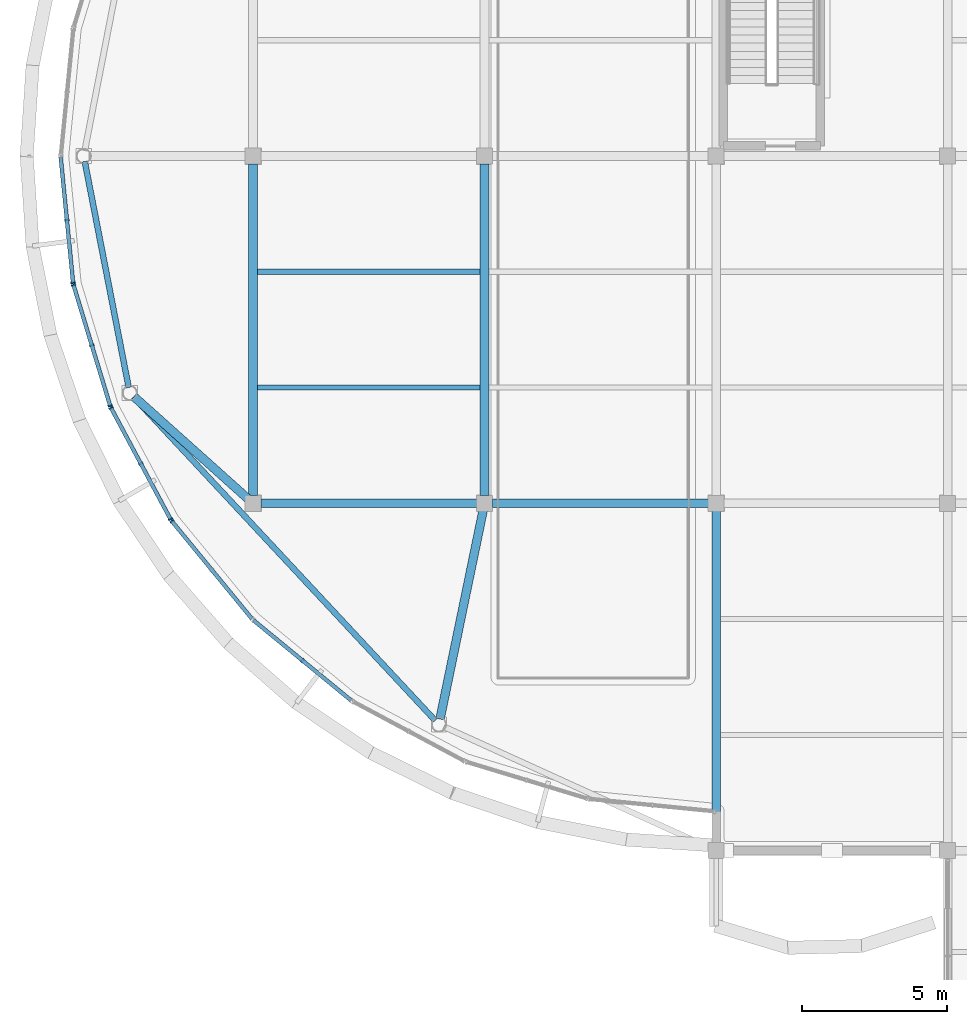
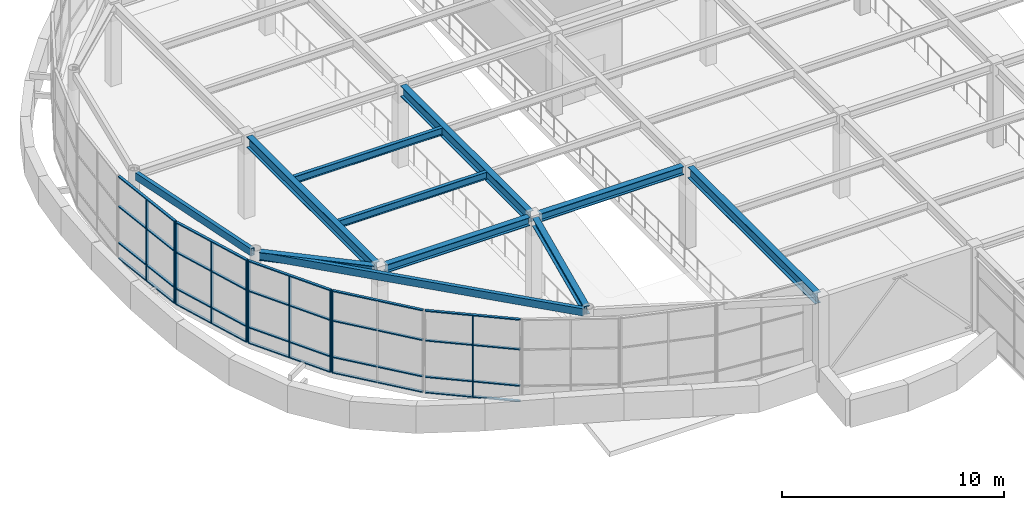
# One storey, part 12 of 72: 30 members, 11 beams, 5 elements without a shape of their own.
"""IFC4 building model written with IfcOpenShell, lengths in metres."""

import ifcopenshell
import ifcopenshell.guid

model = None  # the IFC model being written
_history = None  # IfcOwnerHistory: only IFC2X3 demands one
_inside = {}  # id of a spatial element -> (the spatial element, [elements in it])
_under = {}  # id of a project, library or spatial element -> (it, [spatial elements below it])
_declared = {}  # id of a project -> (the project, [libraries it declares])
_typed = {}  # id of a type object -> (the type object, [elements of that type])
_made_of = {}  # id of a material, layer set ... -> (it, [elements and type objects made of it])


def new_model(schema):
    """Start an empty IFC model of exactly this schema.

    Asked for "IFC4X3", IfcOpenShell would pick the latest addendum, in which some entities
    have other attributes; the version numbers below select the first issue.
    IFC2X3 requires an IfcOwnerHistory on every rooted entity: one is made here for all.
    """
    global model, _history
    if schema == "IFC4X3":
        model = ifcopenshell.file(schema_version=(4, 3, 0, 0))
    else:
        model = ifcopenshell.file(schema=schema)
    _inside.clear()
    _under.clear()
    _declared.clear()
    _typed.clear()
    _made_of.clear()
    _history = None
    if model.schema == "IFC2X3":
        org = make("IfcOrganization", Name="unknown")
        user = make(
            "IfcPersonAndOrganization",
            ThePerson=make("IfcPerson", FamilyName="unknown"),
            TheOrganization=org,
        )
        app = make(
            "IfcApplication",
            ApplicationDeveloper=org,
            Version="unknown",
            ApplicationFullName="unknown",
            ApplicationIdentifier="unknown",
        )
        _history = make(
            "IfcOwnerHistory",
            OwningUser=user,
            OwningApplication=app,
            ChangeAction="ADDED",
            CreationDate=0,
        )
    return model


def make(cls, **values):
    """One entity of the class cls with the attributes given. An attribute that is None is left unset."""
    return model.create_entity(
        cls, **{name: value for name, value in values.items() if value is not None}
    )


def rooted(cls, **values):
    """An entity with a GlobalId (a new one), such as an element, a storey or a relation."""
    return make(cls, GlobalId=ifcopenshell.guid.new(), OwnerHistory=_history, **values)


def si_unit(unit_type, name, prefix=None):
    """IfcSIUnit, for example si_unit("LENGTHUNIT", "METRE", prefix="MILLI")."""
    return make("IfcSIUnit", UnitType=unit_type, Prefix=prefix, Name=name)


def assignment(units):
    """IfcUnitAssignment: the units of a project."""
    return None if units is None else make("IfcUnitAssignment", Units=units)


def point(xyz):
    """IfcCartesianPoint."""
    return None if xyz is None else make("IfcCartesianPoint", Coordinates=xyz)


def direction(xyz):
    """IfcDirection."""
    return None if xyz is None else make("IfcDirection", DirectionRatios=xyz)


def frame(location, z_axis=None, x_axis=None):
    """IfcAxis2Placement3D, a coordinate frame: its origin and axes. An axis left out is left unset."""
    return make(
        "IfcAxis2Placement3D",
        Location=point(location),
        Axis=direction(z_axis),
        RefDirection=direction(x_axis),
    )


def frame_2d(location, x_axis=None):
    """IfcAxis2Placement2D, a coordinate frame in the plane: its origin and x axis."""
    return make(
        "IfcAxis2Placement2D", Location=point(location), RefDirection=direction(x_axis)
    )


def origin():
    """The frame at (0, 0, 0) with its axes left unset."""
    return frame((0.0, 0.0, 0.0))


def origin_2d():
    """The frame at (0, 0) in the plane with its x axis left unset."""
    return frame_2d((0.0, 0.0))


def place(relative_to, where):
    """IfcLocalPlacement: puts the frame where relative to a parent placement (None: the world)."""
    return make(
        "IfcLocalPlacement", PlacementRelTo=relative_to, RelativePlacement=where
    )


def context(
    kind, dimensions, precision=None, world=None, true_north=None, identifier=None
):
    """IfcGeometricRepresentationContext, for example the 3D "Model" context."""
    return make(
        "IfcGeometricRepresentationContext",
        ContextIdentifier=identifier,
        ContextType=kind,
        CoordinateSpaceDimension=dimensions,
        Precision=precision,
        WorldCoordinateSystem=world,
        TrueNorth=true_north,
    )


def subcontext(parent, identifier, kind, view, scale=None):
    """IfcGeometricRepresentationSubContext, for example "Body" below "Model"."""
    return make(
        "IfcGeometricRepresentationSubContext",
        ContextIdentifier=identifier,
        ContextType=kind,
        ParentContext=parent,
        TargetScale=scale,
        TargetView=view,
    )


def project(units=None, contexts=None):
    """IfcProject with its units and contexts."""
    return rooted(
        "IfcProject",
        Name="project",
        RepresentationContexts=contexts,
        UnitsInContext=assignment(units),
    )


def spatial(cls, under=None, at=None, **own):
    """A site, building, storey or space (cls), placed at a placement, below another one or the project."""
    s = rooted(cls, ObjectPlacement=at, **own)
    if under is not None:
        _under.setdefault(under.id(), (under, []))[1].append(s)
    return s


def profile(cls, at=None, kind="AREA", **sizes):
    """A parametric profile (cls). Its sizes go by their IFC names, for example OverallWidth=200.0."""
    return make(cls, ProfileType=kind, Position=at, **sizes)


def rectangle(**sizes):
    """IfcRectangleProfileDef."""
    return profile("IfcRectangleProfileDef", **sizes)


def hollow_rectangle(**sizes):
    """IfcRectangleHollowProfileDef."""
    return profile("IfcRectangleHollowProfileDef", **sizes)


def i_section(**sizes):
    """IfcIShapeProfileDef."""
    return profile("IfcIShapeProfileDef", **sizes)


def extrude(swept, where, along, depth):
    """IfcExtrudedAreaSolid: the profile swept, set in the frame where, extruded along a direction by depth."""
    return make(
        "IfcExtrudedAreaSolid",
        SweptArea=swept,
        Position=where,
        ExtrudedDirection=direction(along),
        Depth=depth,
    )


def shape(context_of_items, identifier, shape_type, items):
    """IfcShapeRepresentation: the items that make up one representation, for example the "Body"."""
    return make(
        "IfcShapeRepresentation",
        ContextOfItems=context_of_items,
        RepresentationIdentifier=identifier,
        RepresentationType=shape_type,
        Items=items,
    )


def material(Name=None, Category=None):
    """IfcMaterial."""
    return make("IfcMaterial", Name=Name, Category=Category)


def layer(
    of_material, thickness, ventilated=None, Name=None, Category=None, Priority=None
):
    """IfcMaterialLayer: one layer of a wall or slab, of a material (None: an air gap)."""
    return make(
        "IfcMaterialLayer",
        Material=of_material,
        LayerThickness=thickness,
        IsVentilated=ventilated,
        Name=Name,
        Category=Category,
        Priority=Priority,
    )


def layer_set(layers, Name=None):
    """IfcMaterialLayerSet."""
    return make("IfcMaterialLayerSet", MaterialLayers=layers, LayerSetName=Name)


def material_profile(
    of_material, cross_section, Name=None, Category=None, Priority=None
):
    """IfcMaterialProfile: a cross section and its material."""
    return make(
        "IfcMaterialProfile",
        Name=Name,
        Material=of_material,
        Profile=cross_section,
        Priority=Priority,
        Category=Category,
    )


def profile_set(profiles, Name=None, composite=None):
    """IfcMaterialProfileSet."""
    return make(
        "IfcMaterialProfileSet",
        Name=Name,
        MaterialProfiles=profiles,
        CompositeProfile=composite,
    )


def made_of(thing, what):
    """Note that an element or type object is made of a material, layer set ...; save() writes the relation."""
    if what is not None:
        _made_of.setdefault(what.id(), (what, []))[1].append(thing)
    return thing


def type_object(cls, material=None, **own):
    """A type object (cls), such as IfcWallType, which elements share."""
    return made_of(rooted(cls, **own), material)


def element(
    cls,
    number,
    at=None,
    inside=None,
    cuts=None,
    type_object=None,
    material=None,
    context=None,
    identifier="Body",
    shape_type=None,
    held_by="IfcProductDefinitionShape",
    body=None,
    shapes=None,
    **own,
):
    """One element of the class cls, such as IfcWall. Its Tag is "e" and its number.

    at: its placement. inside: the storey or other place that contains it. cuts: it is an
    opening in that element (IfcRelVoidsElement). A single representation is given by context,
    identifier, shape_type and body (its items); several are given by shapes. held_by: the class
    of the entity that holds the representations. save() writes the other relations.
    """
    e = rooted(cls, Tag="e%d" % number, ObjectPlacement=at, **own)
    if body is not None:
        shapes = [shape(context, identifier, shape_type, body)]
    if shapes is not None:
        e.Representation = make(held_by, Representations=shapes)
    if inside is not None:
        _inside.setdefault(inside.id(), (inside, []))[1].append(e)
    if cuts is not None:
        rooted(
            "IfcRelVoidsElement", RelatingBuildingElement=cuts, RelatedOpeningElement=e
        )
    if type_object is not None:
        _typed.setdefault(type_object.id(), (type_object, []))[1].append(e)
    return made_of(e, material)


def aggregate(whole, parts):
    """IfcRelAggregates: a whole, such as a stair, and the parts it consists of."""
    return rooted("IfcRelAggregates", RelatingObject=whole, RelatedObjects=parts)


def save(model, path):
    """Write the relations noted so far, then the file.

    IfcRelAggregates (storeys below a building ...), IfcRelContainedInSpatialStructure (elements
    in a storey), IfcRelDefinesByType, IfcRelAssociatesMaterial and IfcRelDeclares: one each for
    every whole, place, type object, material and project.
    """
    for whole, parts in _under.values():
        aggregate(whole, parts)
    for where, things in _inside.values():
        rooted(
            "IfcRelContainedInSpatialStructure",
            RelatedElements=things,
            RelatingStructure=where,
        )
    for kind, things in _typed.values():
        rooted("IfcRelDefinesByType", RelatedObjects=things, RelatingType=kind)
    for what, things in _made_of.values():
        rooted("IfcRelAssociatesMaterial", RelatedObjects=things, RelatingMaterial=what)
    for by, libraries in _declared.values():
        rooted("IfcRelDeclares", RelatingContext=by, RelatedDefinitions=libraries)
    model.write(path)


model = new_model("IFC4")

# Units and contexts
model_context = context("Model", 3, precision=1e-05, world=origin(), true_north=direction((0.0, 1.0)))
body_context = subcontext(model_context, "Body", "Model", "MODEL_VIEW")
ifc_project = project(units=[si_unit("LENGTHUNIT", "METRE"), si_unit("AREAUNIT", "SQUARE_METRE"), si_unit("VOLUMEUNIT", "CUBIC_METRE"), si_unit("PLANEANGLEUNIT", "RADIAN"), si_unit("MASSUNIT", "GRAM", prefix="KILO")], contexts=[model_context])

# Site, building, storey
site_placement = place(None, origin())
site = spatial("IfcSite", under=ifc_project, at=site_placement, CompositionType="ELEMENT")
building_placement = place(site_placement, origin())
building = spatial("IfcBuilding", under=site, at=building_placement, Name="Keelwater Ferry Terminal", CompositionType="ELEMENT")
storey_placement = place(building_placement, frame((0.0, 0.0, 5.39990234375)))
storey = spatial("IfcBuildingStorey", under=building, at=storey_placement, Name="L01", CompositionType="ELEMENT", Elevation=5.39990234375)

# Curtain wall, members
ifc_material_1 = material(Name="Thermally broken unitised aluminium and triple glass", Category="aluminium")
ifc_layer = layer(ifc_material_1, 0.179931640625)
ifc_layer_set = layer_set([ifc_layer], Name="Thermally broken unitised aluminium and triple glass")
curtain_wall_type = type_object("IfcCurtainWallType", Name="CW-18 Unitised Curtain Wall 4350x4480", PredefinedType="USERDEFINED", material=ifc_layer_set)
curtain_wall_1_placement = place(storey_placement, origin())
curtain_wall_1 = element("IfcCurtainWall", 1, at=curtain_wall_1_placement, inside=storey, type_object=curtain_wall_type, Name="Unitised Curtain Wall CW-L01-117", ObjectType="UNITISED CURTAIN WALL", PredefinedType="USERDEFINED")
ifc_material_2 = material(Name="Aluminium mullion", Category="aluminium")
ifc_material_profile_1 = material_profile(ifc_material_2, rectangle(XDim=0.06005859375, YDim=0.14990234375, at=origin_2d()), Name="CWM-03")
ifc_profile_set_1 = profile_set([ifc_material_profile_1], Name="Aluminium mullion")
member_type_1 = type_object("IfcMemberType", Name="CWM-03 Curtain Mullion 60x150", PredefinedType="MULLION", material=ifc_profile_set_1)
member_1_placement = place(storey_placement, frame((1.5673828125, 63.79052734375, 0.0), z_axis=(0.0, 0.0, 1.0), x_axis=(0.098160737969, -0.995170573079, 0.0)))
member_1 = element("IfcMember", 2, at=member_1_placement, type_object=member_type_1, Name="CW-L01-117 Mullion 2", PredefinedType="MULLION", context=body_context, shape_type="SweptSolid", body=[
    extrude(rectangle(XDim=0.06005859375, YDim=0.14990234375, at=origin_2d()), origin(), (0.0, 0.0, 1.0), 4.47998046875),
])
member_2_placement = place(storey_placement, frame((1.781005859375, 61.6259765625, 0.0), z_axis=(0.0, 0.0, 1.0), x_axis=(0.098160737969, -0.995170573079, 0.0)))
member_2 = element("IfcMember", 3, at=member_2_placement, type_object=member_type_1, Name="CW-L01-117 Mullion 3", PredefinedType="MULLION", context=body_context, shape_type="SweptSolid", body=[
    extrude(rectangle(XDim=0.06005859375, YDim=0.14990234375, at=origin_2d()), origin(), (0.0, 0.0, 1.0), 4.47998046875),
])

curtain_wall_2_placement = place(storey_placement, origin())
curtain_wall_2 = element("IfcCurtainWall", 4, at=curtain_wall_2_placement, inside=storey, type_object=curtain_wall_type, Name="Unitised Curtain Wall CW-L01-118", ObjectType="UNITISED CURTAIN WALL", PredefinedType="USERDEFINED")
member_3_placement = place(storey_placement, frame((1.798095703125, 61.5380859375, 0.0), z_axis=(0.0, 0.0, 1.0), x_axis=(0.290319989003, -0.956929623319, 0.0)))
member_3 = element("IfcMember", 5, at=member_3_placement, type_object=member_type_1, Name="CW-L01-118 Mullion 1", PredefinedType="MULLION", context=body_context, shape_type="SweptSolid", body=[
    extrude(rectangle(XDim=0.06005859375, YDim=0.14990234375, at=origin_2d()), origin(), (0.0, 0.0, 1.0), 4.47998046875),
])
member_4_placement = place(storey_placement, frame((2.429443359375, 59.45654296875, 0.0), z_axis=(0.0, 0.0, 1.0), x_axis=(0.290319989003, -0.956929623319, 0.0)))
member_4 = element("IfcMember", 6, at=member_4_placement, type_object=member_type_1, Name="CW-L01-118 Mullion 2", PredefinedType="MULLION", context=body_context, shape_type="SweptSolid", body=[
    extrude(rectangle(XDim=0.06005859375, YDim=0.14990234375, at=origin_2d()), origin(), (0.0, 0.0, 1.0), 4.47998046875),
])
member_5_placement = place(storey_placement, frame((3.06103515625, 57.375, 0.0), z_axis=(0.0, 0.0, 1.0), x_axis=(0.290319989003, -0.956929623319, 0.0)))
member_5 = element("IfcMember", 7, at=member_5_placement, type_object=member_type_1, Name="CW-L01-118 Mullion 3", PredefinedType="MULLION", context=body_context, shape_type="SweptSolid", body=[
    extrude(rectangle(XDim=0.06005859375, YDim=0.14990234375, at=origin_2d()), origin(), (0.0, 0.0, 1.0), 4.47998046875),
])

curtain_wall_3_placement = place(storey_placement, origin())
curtain_wall_3 = element("IfcCurtainWall", 8, at=curtain_wall_3_placement, inside=storey, type_object=curtain_wall_type, Name="Unitised Curtain Wall CW-L01-119", ObjectType="UNITISED CURTAIN WALL", PredefinedType="USERDEFINED")
member_6_placement = place(storey_placement, frame((3.094970703125, 57.2919921875, 0.0), z_axis=(0.0, 0.0, 1.0), x_axis=(0.471506749303, -0.881862452632, 0.0)))
member_6 = element("IfcMember", 9, at=member_6_placement, type_object=member_type_1, Name="CW-L01-119 Mullion 1", PredefinedType="MULLION", context=body_context, shape_type="SweptSolid", body=[
    extrude(rectangle(XDim=0.06005859375, YDim=0.14990234375, at=origin_2d()), origin(), (0.0, 0.0, 1.0), 4.47998046875),
])
member_7_placement = place(storey_placement, frame((4.12060546875, 55.3740234375, 0.0), z_axis=(0.0, 0.0, 1.0), x_axis=(0.471506749303, -0.881862452632, 0.0)))
member_7 = element("IfcMember", 10, at=member_7_placement, type_object=member_type_1, Name="CW-L01-119 Mullion 2", PredefinedType="MULLION", context=body_context, shape_type="SweptSolid", body=[
    extrude(rectangle(XDim=0.06005859375, YDim=0.14990234375, at=origin_2d()), origin(), (0.0, 0.0, 1.0), 4.47998046875),
])
member_8_placement = place(storey_placement, frame((5.14599609375, 53.4560546875, 0.0), z_axis=(0.0, 0.0, 1.0), x_axis=(0.471506749303, -0.881862452632, 0.0)))
member_8 = element("IfcMember", 11, at=member_8_placement, type_object=member_type_1, Name="CW-L01-119 Mullion 3", PredefinedType="MULLION", context=body_context, shape_type="SweptSolid", body=[
    extrude(rectangle(XDim=0.06005859375, YDim=0.14990234375, at=origin_2d()), origin(), (0.0, 0.0, 1.0), 4.47998046875),
])

# Curtain wall, member
curtain_wall_4_placement = place(storey_placement, origin())
curtain_wall_4 = element("IfcCurtainWall", 12, at=curtain_wall_4_placement, inside=storey, type_object=curtain_wall_type, Name="Unitised Curtain Wall CW-L01-120", ObjectType="UNITISED CURTAIN WALL", PredefinedType="USERDEFINED")
member_9_placement = place(storey_placement, frame((5.196044921875, 53.381103515625, 0.0), z_axis=(0.0, 0.0, 1.0), x_axis=(0.634376508991, -0.773024220086, 0.0)))
member_9 = element("IfcMember", 13, at=member_9_placement, type_object=member_type_1, Name="CW-L01-120 Mullion 1", PredefinedType="MULLION", context=body_context, shape_type="SweptSolid", body=[
    extrude(rectangle(XDim=0.06005859375, YDim=0.14990234375, at=origin_2d()), origin(), (0.0, 0.0, 1.0), 4.47998046875),
])

curtain_wall_5_placement = place(storey_placement, origin())
curtain_wall_5 = element("IfcCurtainWall", 14, at=curtain_wall_5_placement, inside=storey, type_object=curtain_wall_type, Name="Unitised Curtain Wall CW-L01-121", ObjectType="UNITISED CURTAIN WALL", PredefinedType="USERDEFINED")
member_10_placement = place(storey_placement, frame((9.699951171875, 48.575439453125, 0.0), z_axis=(0.0, 0.0, 1.0), x_axis=(0.773024220086, -0.634376508991, 0.0)))
member_10 = element("IfcMember", 15, at=member_10_placement, type_object=member_type_1, Name="CW-L01-121 Mullion 2", PredefinedType="MULLION", context=body_context, shape_type="SweptSolid", body=[
    extrude(rectangle(XDim=0.06005859375, YDim=0.14990234375, at=origin_2d()), origin(), (0.0, 0.0, 1.0), 4.47998046875),
])

# Member
ifc_material_3 = material(Name="Aluminium mullion", Category="aluminium")
ifc_material_profile_2 = material_profile(ifc_material_3, rectangle(XDim=0.135009765625, YDim=0.06005859375, at=origin_2d()), Name="CWT-03")
ifc_profile_set_2 = profile_set([ifc_material_profile_2], Name="Aluminium mullion")
member_type_2 = type_object("IfcMemberType", Name="CWT-03 Curtain Transom 60x135", PredefinedType="USERDEFINED", material=ifc_profile_set_2)
member_11_placement = place(storey_placement, frame((1.35400390625, 65.955078125, 0.0), z_axis=(0.098158901932, -0.995170754178, 0.0), x_axis=(0.995170754178, 0.098158901932, 0.0)))
member_11 = element("IfcMember", 16, at=member_11_placement, type_object=member_type_2, Name="CW-L01-117 Transom 1", ObjectType="TRANSOM", PredefinedType="USERDEFINED", context=body_context, shape_type="SweptSolid", body=[
    extrude(rectangle(XDim=0.135009765625, YDim=0.06005859375, at=origin_2d()), origin(), (0.0, 0.0, 1.0), 4.35009765625),
])

member_12_placement = place(storey_placement, frame((1.35400390625, 65.955078125, 0.85009765625), z_axis=(0.098158901932, -0.995170754178, 0.0), x_axis=(0.995170754178, 0.098158901932, 0.0)))
member_12 = element("IfcMember", 17, at=member_12_placement, type_object=member_type_2, Name="CW-L01-117 Transom 2", ObjectType="TRANSOM", PredefinedType="USERDEFINED", context=body_context, shape_type="SweptSolid", body=[
    extrude(rectangle(XDim=0.135009765625, YDim=0.06005859375, at=origin_2d()), origin(), (0.0, 0.0, 1.0), 4.35009765625),
])

member_13_placement = place(storey_placement, frame((1.35400390625, 65.955078125, 2.85009765625), z_axis=(0.098158901932, -0.995170754178, 0.0), x_axis=(0.995170754178, 0.098158901932, 0.0)))
member_13 = element("IfcMember", 18, at=member_13_placement, type_object=member_type_2, Name="CW-L01-117 Transom 3", ObjectType="TRANSOM", PredefinedType="USERDEFINED", context=body_context, shape_type="SweptSolid", body=[
    extrude(rectangle(XDim=0.135009765625, YDim=0.06005859375, at=origin_2d()), origin(), (0.0, 0.0, 1.0), 4.35009765625),
])

member_14_placement = place(storey_placement, frame((1.35400390625, 65.955078125, 4.47998046875), z_axis=(0.098158901932, -0.995170754178, 0.0), x_axis=(0.995170754178, 0.098158901932, 0.0)))
member_14 = element("IfcMember", 19, at=member_14_placement, type_object=member_type_2, Name="CW-L01-117 Transom 4", ObjectType="TRANSOM", PredefinedType="USERDEFINED", context=body_context, shape_type="SweptSolid", body=[
    extrude(rectangle(XDim=0.135009765625, YDim=0.06005859375, at=origin_2d()), origin(), (0.0, 0.0, 1.0), 4.35009765625),
])

aggregate(curtain_wall_1, [member_1, member_2, member_11, member_12, member_13, member_14])

member_15_placement = place(storey_placement, frame((1.798095703125, 61.5380859375, 0.0), z_axis=(0.290301756665, -0.956935154583, 0.0), x_axis=(0.956935154583, 0.290301756665, 0.0)))
member_15 = element("IfcMember", 20, at=member_15_placement, type_object=member_type_2, Name="CW-L01-118 Transom 1", ObjectType="TRANSOM", PredefinedType="USERDEFINED", context=body_context, shape_type="SweptSolid", body=[
    extrude(rectangle(XDim=0.135009765625, YDim=0.06005859375, at=origin_2d()), origin(), (0.0, 0.0, 1.0), 4.350341796875),
])

member_16_placement = place(storey_placement, frame((1.798095703125, 61.5380859375, 0.85009765625), z_axis=(0.290301756665, -0.956935154583, 0.0), x_axis=(0.956935154583, 0.290301756665, 0.0)))
member_16 = element("IfcMember", 21, at=member_16_placement, type_object=member_type_2, Name="CW-L01-118 Transom 2", ObjectType="TRANSOM", PredefinedType="USERDEFINED", context=body_context, shape_type="SweptSolid", body=[
    extrude(rectangle(XDim=0.135009765625, YDim=0.06005859375, at=origin_2d()), origin(), (0.0, 0.0, 1.0), 4.350341796875),
])

member_17_placement = place(storey_placement, frame((1.798095703125, 61.5380859375, 2.85009765625), z_axis=(0.290301756665, -0.956935154583, 0.0), x_axis=(0.956935154583, 0.290301756665, 0.0)))
member_17 = element("IfcMember", 22, at=member_17_placement, type_object=member_type_2, Name="CW-L01-118 Transom 3", ObjectType="TRANSOM", PredefinedType="USERDEFINED", context=body_context, shape_type="SweptSolid", body=[
    extrude(rectangle(XDim=0.135009765625, YDim=0.06005859375, at=origin_2d()), origin(), (0.0, 0.0, 1.0), 4.350341796875),
])

member_18_placement = place(storey_placement, frame((1.798095703125, 61.5380859375, 4.47998046875), z_axis=(0.290301756665, -0.956935154583, 0.0), x_axis=(0.956935154583, 0.290301756665, 0.0)))
member_18 = element("IfcMember", 23, at=member_18_placement, type_object=member_type_2, Name="CW-L01-118 Transom 4", ObjectType="TRANSOM", PredefinedType="USERDEFINED", context=body_context, shape_type="SweptSolid", body=[
    extrude(rectangle(XDim=0.135009765625, YDim=0.06005859375, at=origin_2d()), origin(), (0.0, 0.0, 1.0), 4.350341796875),
])

aggregate(curtain_wall_2, [member_3, member_4, member_5, member_15, member_16, member_17, member_18])

member_19_placement = place(storey_placement, frame((3.094970703125, 57.2919921875, 0.0), z_axis=(0.471517263122, -0.881856831112, 0.0), x_axis=(0.881856831112, 0.471517263122, 0.0)))
member_19 = element("IfcMember", 24, at=member_19_placement, type_object=member_type_2, Name="CW-L01-119 Transom 1", ObjectType="TRANSOM", PredefinedType="USERDEFINED", context=body_context, shape_type="SweptSolid", body=[
    extrude(rectangle(XDim=0.135009765625, YDim=0.06005859375, at=origin_2d()), origin(), (0.0, 0.0, 1.0), 4.349853515625),
])

member_20_placement = place(storey_placement, frame((3.094970703125, 57.2919921875, 0.85009765625), z_axis=(0.471517263122, -0.881856831112, 0.0), x_axis=(0.881856831112, 0.471517263122, 0.0)))
member_20 = element("IfcMember", 25, at=member_20_placement, type_object=member_type_2, Name="CW-L01-119 Transom 2", ObjectType="TRANSOM", PredefinedType="USERDEFINED", context=body_context, shape_type="SweptSolid", body=[
    extrude(rectangle(XDim=0.135009765625, YDim=0.06005859375, at=origin_2d()), origin(), (0.0, 0.0, 1.0), 4.349853515625),
])

member_21_placement = place(storey_placement, frame((3.094970703125, 57.2919921875, 2.85009765625), z_axis=(0.471517263122, -0.881856831112, 0.0), x_axis=(0.881856831112, 0.471517263122, 0.0)))
member_21 = element("IfcMember", 26, at=member_21_placement, type_object=member_type_2, Name="CW-L01-119 Transom 3", ObjectType="TRANSOM", PredefinedType="USERDEFINED", context=body_context, shape_type="SweptSolid", body=[
    extrude(rectangle(XDim=0.135009765625, YDim=0.06005859375, at=origin_2d()), origin(), (0.0, 0.0, 1.0), 4.349853515625),
])

member_22_placement = place(storey_placement, frame((3.094970703125, 57.2919921875, 4.47998046875), z_axis=(0.471517263122, -0.881856831112, 0.0), x_axis=(0.881856831112, 0.471517263122, 0.0)))
member_22 = element("IfcMember", 27, at=member_22_placement, type_object=member_type_2, Name="CW-L01-119 Transom 4", ObjectType="TRANSOM", PredefinedType="USERDEFINED", context=body_context, shape_type="SweptSolid", body=[
    extrude(rectangle(XDim=0.135009765625, YDim=0.06005859375, at=origin_2d()), origin(), (0.0, 0.0, 1.0), 4.349853515625),
])

aggregate(curtain_wall_3, [member_6, member_7, member_8, member_19, member_20, member_21, member_22])

member_23_placement = place(storey_placement, frame((5.196044921875, 53.381103515625, 0.0), z_axis=(0.634374244118, -0.773026078732, 0.0), x_axis=(0.773026078732, 0.634374244118, 0.0)))
member_23 = element("IfcMember", 28, at=member_23_placement, type_object=member_type_2, Name="CW-L01-120 Transom 1", ObjectType="TRANSOM", PredefinedType="USERDEFINED", context=body_context, shape_type="SweptSolid", body=[
    extrude(rectangle(XDim=0.135009765625, YDim=0.06005859375, at=origin_2d()), origin(), (0.0, 0.0, 1.0), 4.34912109375),
])

member_24_placement = place(storey_placement, frame((5.196044921875, 53.381103515625, 0.85009765625), z_axis=(0.634374244118, -0.773026078732, 0.0), x_axis=(0.773026078732, 0.634374244118, 0.0)))
member_24 = element("IfcMember", 29, at=member_24_placement, type_object=member_type_2, Name="CW-L01-120 Transom 2", ObjectType="TRANSOM", PredefinedType="USERDEFINED", context=body_context, shape_type="SweptSolid", body=[
    extrude(rectangle(XDim=0.135009765625, YDim=0.06005859375, at=origin_2d()), origin(), (0.0, 0.0, 1.0), 4.34912109375),
])

member_25_placement = place(storey_placement, frame((5.196044921875, 53.381103515625, 2.85009765625), z_axis=(0.634374244118, -0.773026078732, 0.0), x_axis=(0.773026078732, 0.634374244118, 0.0)))
member_25 = element("IfcMember", 30, at=member_25_placement, type_object=member_type_2, Name="CW-L01-120 Transom 3", ObjectType="TRANSOM", PredefinedType="USERDEFINED", context=body_context, shape_type="SweptSolid", body=[
    extrude(rectangle(XDim=0.135009765625, YDim=0.06005859375, at=origin_2d()), origin(), (0.0, 0.0, 1.0), 4.34912109375),
])

member_26_placement = place(storey_placement, frame((5.196044921875, 53.381103515625, 4.47998046875), z_axis=(0.634374244118, -0.773026078732, 0.0), x_axis=(0.773026078732, 0.634374244118, 0.0)))
member_26 = element("IfcMember", 31, at=member_26_placement, type_object=member_type_2, Name="CW-L01-120 Transom 4", ObjectType="TRANSOM", PredefinedType="USERDEFINED", context=body_context, shape_type="SweptSolid", body=[
    extrude(rectangle(XDim=0.135009765625, YDim=0.06005859375, at=origin_2d()), origin(), (0.0, 0.0, 1.0), 4.34912109375),
])

aggregate(curtain_wall_4, [member_9, member_23, member_24, member_25, member_26])

member_27_placement = place(storey_placement, frame((8.01904296875, 49.955078125, 0.0), z_axis=(0.773026078732, -0.634374244118, 0.0), x_axis=(0.634374244118, 0.773026078732, 0.0)))
member_27 = element("IfcMember", 32, at=member_27_placement, type_object=member_type_2, Name="CW-L01-121 Transom 1", ObjectType="TRANSOM", PredefinedType="USERDEFINED", context=body_context, shape_type="SweptSolid", body=[
    extrude(rectangle(XDim=0.135009765625, YDim=0.06005859375, at=origin_2d()), origin(), (0.0, 0.0, 1.0), 4.34912109375),
])

member_28_placement = place(storey_placement, frame((8.01904296875, 49.955078125, 0.85009765625), z_axis=(0.773026078732, -0.634374244118, 0.0), x_axis=(0.634374244118, 0.773026078732, 0.0)))
member_28 = element("IfcMember", 33, at=member_28_placement, type_object=member_type_2, Name="CW-L01-121 Transom 2", ObjectType="TRANSOM", PredefinedType="USERDEFINED", context=body_context, shape_type="SweptSolid", body=[
    extrude(rectangle(XDim=0.135009765625, YDim=0.06005859375, at=origin_2d()), origin(), (0.0, 0.0, 1.0), 4.34912109375),
])

member_29_placement = place(storey_placement, frame((8.01904296875, 49.955078125, 2.85009765625), z_axis=(0.773026078732, -0.634374244118, 0.0), x_axis=(0.634374244118, 0.773026078732, 0.0)))
member_29 = element("IfcMember", 34, at=member_29_placement, type_object=member_type_2, Name="CW-L01-121 Transom 3", ObjectType="TRANSOM", PredefinedType="USERDEFINED", context=body_context, shape_type="SweptSolid", body=[
    extrude(rectangle(XDim=0.135009765625, YDim=0.06005859375, at=origin_2d()), origin(), (0.0, 0.0, 1.0), 4.34912109375),
])

member_30_placement = place(storey_placement, frame((8.01904296875, 49.955078125, 4.47998046875), z_axis=(0.773026078732, -0.634374244118, 0.0), x_axis=(0.634374244118, 0.773026078732, 0.0)))
member_30 = element("IfcMember", 35, at=member_30_placement, type_object=member_type_2, Name="CW-L01-121 Transom 4", ObjectType="TRANSOM", PredefinedType="USERDEFINED", context=body_context, shape_type="SweptSolid", body=[
    extrude(rectangle(XDim=0.135009765625, YDim=0.06005859375, at=origin_2d()), origin(), (0.0, 0.0, 1.0), 4.34912109375),
])

aggregate(curtain_wall_5, [member_10, member_27, member_28, member_29, member_30])

# Beams
ifc_material_4 = material(Name="Steel S355", Category="steel")
ifc_material_profile_3 = material_profile(ifc_material_4, i_section(OverallWidth=0.300048828125, OverallDepth=0.60009765625, WebThickness=0.015380859375, FlangeThickness=0.030029296875, at=origin_2d()), Name="HEB 600")
ifc_profile_set_3 = profile_set([ifc_material_profile_3], Name="Steel S355")
beam_type_1 = type_object("IfcBeamType", Name="G3 HEB 600", PredefinedType="BEAM", material=ifc_profile_set_3)
beam_1_placement = place(storey_placement, frame((24.0, 42.27001953125, 4.22021484375), z_axis=(0.0, 1.0, 0.0), x_axis=(-1.0, 0.0, 0.0)))
element("IfcBeam", 36, at=beam_1_placement, inside=storey, type_object=beam_type_1, Name="Beam BM-L01-0715", PredefinedType="BEAM", context=body_context, shape_type="SweptSolid", body=[
    extrude(i_section(OverallWidth=0.300048828125, OverallDepth=0.60009765625, WebThickness=0.015380859375, FlangeThickness=0.030029296875, at=origin_2d()), origin(), (0.0, 0.0, 1.0), 11.4599609375),
])
ifc_material_5 = material(Name="Steel S355", Category="steel")
ifc_material_profile_4 = material_profile(ifc_material_5, i_section(OverallWidth=0.300048828125, OverallDepth=0.60009765625, WebThickness=0.015380859375, FlangeThickness=0.030029296875, at=origin_2d()), Name="HEB 600")
ifc_profile_set_4 = profile_set([ifc_material_profile_4], Name="Steel S355")
beam_type_2 = type_object("IfcBeamType", Name="G3E HEB 600", PredefinedType="BEAM", material=ifc_profile_set_4)
for number, where, z_axis, x_axis, name in (
    (37, (8.0, 54.27001953125, 4.22021484375), (0.0, 1.0, 0.0), (-1.0, 0.0, 0.0), "Beam BM-L01-0711"),
    (38, (16.0, 54.27001953125, 4.22021484375), (0.0, 1.0, 0.0), (-1.0, 0.0, 0.0), "Beam BM-L01-0713"),
):
    element("IfcBeam", number, at=place(storey_placement, frame(where, z_axis=z_axis, x_axis=x_axis)), inside=storey, type_object=beam_type_2, Name=name, PredefinedType="BEAM", context=body_context, shape_type="SweptSolid", body=[
        extrude(i_section(OverallWidth=0.300048828125, OverallDepth=0.60009765625, WebThickness=0.015380859375, FlangeThickness=0.030029296875, at=origin_2d()), origin(), (0.0, 0.0, 1.0), 11.4599609375),
    ])
ifc_material_6 = material(Name="Steel S355", Category="steel")
ifc_material_profile_5 = material_profile(ifc_material_6, i_section(OverallWidth=0.300048828125, OverallDepth=0.449951171875, WebThickness=0.013916015625, FlangeThickness=0.02587890625, at=origin_2d()), Name="HEB 450")
ifc_profile_set_5 = profile_set([ifc_material_profile_5], Name="Steel S355")
beam_type_3 = type_object("IfcBeamType", Name="G6 HEB 450", PredefinedType="BEAM", material=ifc_profile_set_5)
for number, where, z_axis, x_axis, name in (
    (39, (8.27001953125, 54.0, 4.295166015625), (1.0, 0.0, 0.0), (0.0, 1.0, 0.0), "Beam BM-L01-0635"),
    (40, (16.27001953125, 54.0, 4.295166015625), (1.0, 0.0, 0.0), (0.0, 1.0, 0.0), "Beam BM-L01-0636"),
):
    element("IfcBeam", number, at=place(storey_placement, frame(where, z_axis=z_axis, x_axis=x_axis)), inside=storey, type_object=beam_type_3, Name=name, PredefinedType="BEAM", context=body_context, shape_type="SweptSolid", body=[
        extrude(i_section(OverallWidth=0.300048828125, OverallDepth=0.449951171875, WebThickness=0.013916015625, FlangeThickness=0.02587890625, at=origin_2d()), origin(), (0.0, 0.0, 1.0), 7.4599609375),
    ])
beam_2_placement = place(storey_placement, frame((3.883056640625, 57.68798828125, 4.295166015625), z_axis=(0.74488982883, -0.667187487072, 0.0), x_axis=(0.667187487072, 0.74488982883, 0.0)))
element("IfcBeam", 41, at=beam_2_placement, inside=storey, type_object=beam_type_3, Name="Beam BM-L01-0970", PredefinedType="BEAM", context=body_context, shape_type="SweptSolid", body=[
    extrude(i_section(OverallWidth=0.300048828125, OverallDepth=0.449951171875, WebThickness=0.013916015625, FlangeThickness=0.02587890625, at=origin_2d()), origin(), (0.0, 0.0, 1.0), 5.2880859375),
])
beam_3_placement = place(storey_placement, frame((14.4599609375, 46.547119140625, 4.295166015625), z_axis=(0.202424869053, 0.97929779556, 0.0), x_axis=(-0.97929779556, 0.202424869053, 0.0)))
element("IfcBeam", 42, at=beam_3_placement, inside=storey, type_object=beam_type_3, Name="Beam BM-L01-0971", PredefinedType="BEAM", context=body_context, shape_type="SweptSolid", body=[
    extrude(i_section(OverallWidth=0.300048828125, OverallDepth=0.449951171875, WebThickness=0.013916015625, FlangeThickness=0.02587890625, at=origin_2d()), origin(), (0.0, 0.0, 1.0), 7.370361328125),
])
ifc_material_7 = material(Name="Steel S355", Category="steel")
ifc_material_profile_6 = material_profile(ifc_material_7, i_section(OverallWidth=0.179931640625, OverallDepth=0.39990234375, WebThickness=0.008544921875, FlangeThickness=0.013427734375, at=origin_2d()), Name="IPE 400")
ifc_profile_set_6 = profile_set([ifc_material_profile_6], Name="Steel S355")
beam_type_4 = type_object("IfcBeamType", Name="J5 IPE 400", PredefinedType="JOIST", material=ifc_profile_set_6)
for number, where, z_axis, x_axis, name in (
    (43, (8.14990234375, 58.0, 4.320068359375), (1.0, 0.0, 0.0), (0.0, 1.0, 0.0), "Beam BM-L01-0811"),
    (44, (8.14990234375, 62.0, 4.320068359375), (1.0, 0.0, 0.0), (0.0, 1.0, 0.0), "Beam BM-L01-0812"),
):
    element("IfcBeam", number, at=place(storey_placement, frame(where, z_axis=z_axis, x_axis=x_axis)), inside=storey, type_object=beam_type_4, Name=name, PredefinedType="JOIST", context=body_context, shape_type="SweptSolid", body=[
        extrude(i_section(OverallWidth=0.179931640625, OverallDepth=0.39990234375, WebThickness=0.008544921875, FlangeThickness=0.013427734375, at=origin_2d()), origin(), (0.0, 0.0, 1.0), 7.7001953125),
    ])
ifc_material_8 = material(Name="Steel S355", Category="steel")
ifc_material_profile_7 = material_profile(ifc_material_8, hollow_rectangle(XDim=0.199951171875, YDim=0.39990234375, WallThickness=0.01611328125, at=origin_2d()), Name="RHS 400x200x16")
ifc_profile_set_7 = profile_set([ifc_material_profile_7], Name="Steel S355")
beam_type_5 = type_object("IfcBeamType", Name="SP3E RHS 400x200x16", PredefinedType="SPANDREL", material=ifc_profile_set_7)
beam_4_placement = place(storey_placement, frame((2.18603515625, 65.81298828125, 4.320068359375), z_axis=(0.190897579934, -0.981609960206, 0.0), x_axis=(0.981609960206, 0.190897579934, 0.0)))
element("IfcBeam", 45, at=beam_4_placement, inside=storey, type_object=beam_type_5, Name="Beam BM-L01-0965", PredefinedType="SPANDREL", context=body_context, shape_type="SweptSolid", body=[
    extrude(hollow_rectangle(XDim=0.199951171875, YDim=0.39990234375, WallThickness=0.01611328125, at=origin_2d()), origin(), (0.0, 0.0, 1.0), 7.957275390625),
])
beam_5_placement = place(storey_placement, frame((3.87109375, 57.676025390625, 4.320068359375), z_axis=(0.681966371638, -0.731383529999, 0.0), x_axis=(0.731383529999, 0.681966371638, 0.0)))
element("IfcBeam", 46, at=beam_5_placement, inside=storey, type_object=beam_type_5, Name="Beam BM-L01-0966", PredefinedType="SPANDREL", context=body_context, shape_type="SweptSolid", body=[
    extrude(hollow_rectangle(XDim=0.199951171875, YDim=0.39990234375, WallThickness=0.01611328125, at=origin_2d()), origin(), (0.0, 0.0, 1.0), 15.28076171875),
])

save(model, "model.ifc")
